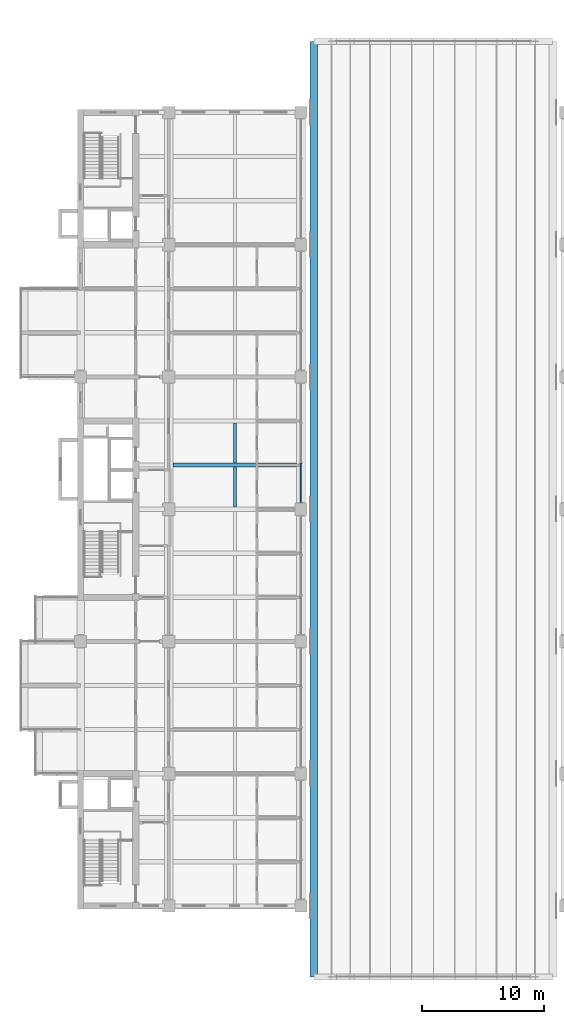
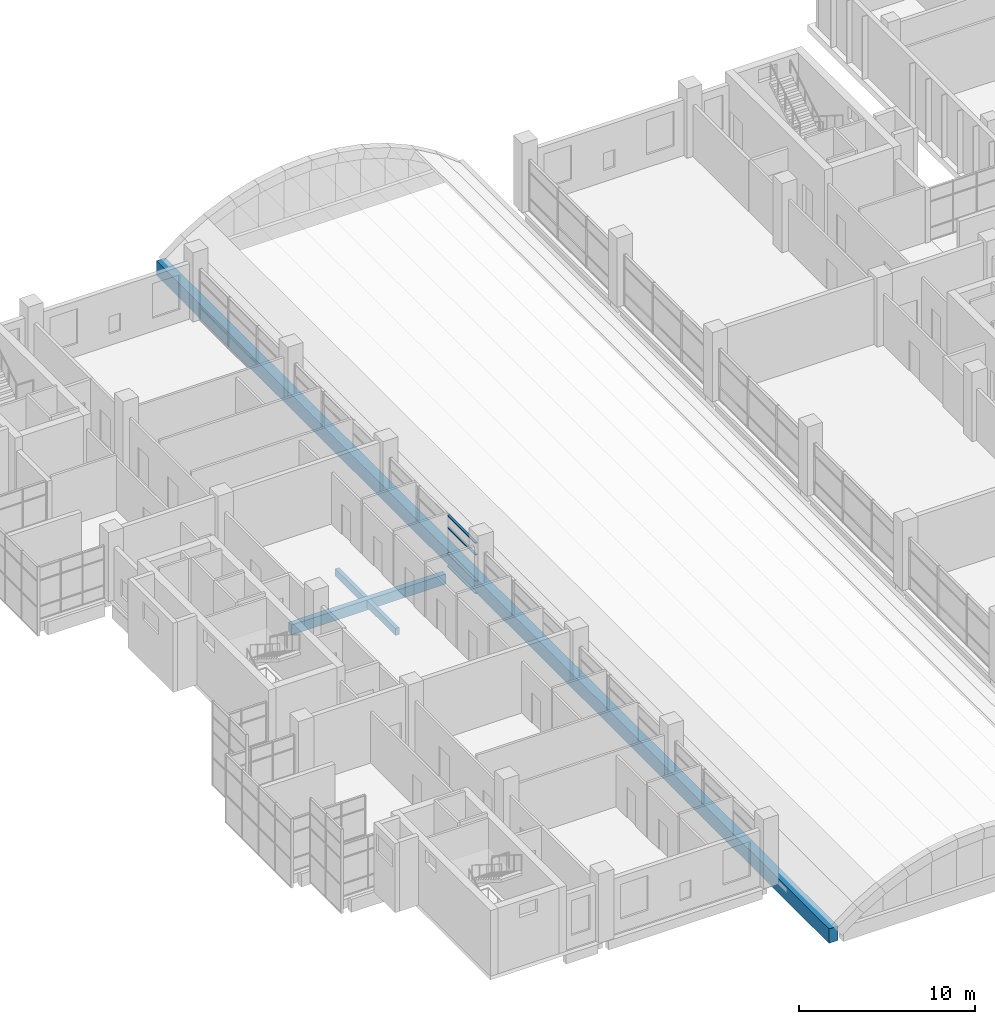
# One storey, part 9 of 45: 4 beams, 4 members, 1 element without a shape of its own.
"""IFC4 building model written with IfcOpenShell, lengths in metres."""

from ifc_helpers import new_model, si_unit, direction, frame, origin, origin_2d, place, context, subcontext, project, spatial, rectangle, extrude, material, layer, layer_set, material_profile, profile_set, type_object, element, aggregate, save


model = new_model("IFC4")

# Units and contexts
model_context = context("Model", 3, precision=1e-05, world=origin(), true_north=direction((0.0, 1.0)))
body_context = subcontext(model_context, "Body", "Model", "MODEL_VIEW")
ifc_project = project(units=[si_unit("LENGTHUNIT", "METRE"), si_unit("AREAUNIT", "SQUARE_METRE"), si_unit("VOLUMEUNIT", "CUBIC_METRE"), si_unit("PLANEANGLEUNIT", "RADIAN"), si_unit("MASSUNIT", "GRAM", prefix="KILO")], contexts=[model_context])

# Site, building, storey
site_placement = place(None, origin())
site = spatial("IfcSite", under=ifc_project, at=site_placement, CompositionType="ELEMENT")
building_placement = place(site_placement, origin())
building = spatial("IfcBuilding", under=site, at=building_placement, Name="Basin Gate Institute", CompositionType="ELEMENT")
storey_placement = place(building_placement, frame((0.0, 0.0, 22.199951171875)))
storey = spatial("IfcBuildingStorey", under=building, at=storey_placement, Name="L04", CompositionType="ELEMENT", Elevation=22.199951171875)

# Beams
ifc_material_1 = material(Name="Concrete 40 MPa", Category="concrete")
ifc_material_profile_1 = material_profile(ifc_material_1, rectangle(XDim=0.35009765625, YDim=0.699951171875, at=origin_2d()), Name="Beam B1 350 x 700")
ifc_profile_set_1 = profile_set([ifc_material_profile_1], Name="Concrete 40 MPa")
beam_type_1 = type_object("IfcBeamType", Name="Beam B1 R120", PredefinedType="BEAM", material=ifc_profile_set_1)
beam_1_placement = place(storey_placement, frame((68.75, 71.10009765625, -0.599853515625), z_axis=(1.0, 0.0, 0.0), x_axis=(0.0, 1.0, 0.0)))
element("IfcBeam", 1, at=beam_1_placement, inside=storey, type_object=beam_type_1, material=ifc_profile_set_1, Name="BEAM/L04/W/EW/11", PredefinedType="BEAM", context=body_context, shape_type="SweptSolid", body=[
    extrude(rectangle(XDim=0.35009765625, YDim=0.699951171875, at=origin_2d()), origin(), (0.0, 0.0, 1.0), 10.10009765625),
])
ifc_material_2 = material(Name="Concrete 40 MPa", Category="concrete")
ifc_material_profile_2 = material_profile(ifc_material_2, rectangle(XDim=0.25, YDim=0.5, at=origin_2d()), Name="Rib R1 250 x 500")
ifc_profile_set_2 = profile_set([ifc_material_profile_2], Name="Concrete 40 MPa")
beam_type_2 = type_object("IfcBeamType", Name="Rib R1 R120", PredefinedType="JOIST", material=ifc_profile_set_2)
for number, where, z_axis, x_axis, name in (
    (2, (73.800048828125, 67.675048828125, -0.5), (0.0, 1.0, 0.0), (-1.0, 0.0, 0.0), "BEAM/L04/W/RIB/10"),
    (3, (73.800048828125, 71.27490234375, -0.5), (0.0, 1.0, 0.0), (-1.0, 0.0, 0.0), "BEAM/L04/W/RIB/11"),
):
    element("IfcBeam", number, at=place(storey_placement, frame(where, z_axis=z_axis, x_axis=x_axis)), inside=storey, type_object=beam_type_2, material=ifc_profile_set_2, Name=name, PredefinedType="JOIST", context=body_context, shape_type="SweptSolid", body=[
        extrude(rectangle(XDim=0.25, YDim=0.5, at=origin_2d()), origin(), (0.0, 0.0, 1.0), 3.25),
    ])
ifc_material_3 = material(Name="Concrete 40 MPa", Category="concrete")
ifc_material_profile_3 = material_profile(ifc_material_3, rectangle(XDim=0.60009765625, YDim=1.0, at=origin_2d()), Name="Shell edge beam ES1 600 x 1000")
ifc_profile_set_3 = profile_set([ifc_material_profile_3], Name="Concrete 40 MPa")
beam_type_3 = type_object("IfcBeamType", Name="Shell edge beam ES1 R120", PredefinedType="BEAM", material=ifc_profile_set_3)
beam_2_placement = place(storey_placement, frame((80.25, 29.300048828125, -0.5), z_axis=(0.0, 1.0, 0.0), x_axis=(-1.0, 0.0, 0.0)))
element("IfcBeam", 4, at=beam_2_placement, inside=storey, type_object=beam_type_3, material=ifc_profile_set_3, Name="Atrium shell edge beam A", PredefinedType="BEAM", context=body_context, shape_type="SweptSolid", body=[
    extrude(rectangle(XDim=0.60009765625, YDim=1.0, at=origin_2d()), origin(), (0.0, 0.0, 1.0), 76.39990234375),
])

# Curtain wall, members
ifc_material_4 = material(Name="Aluminium-framed glazing", Category="aluminium")
ifc_layer = layer(ifc_material_4, 0.199951171875)
ifc_layer_set = layer_set([ifc_layer], Name="Atrium curtain wall CW2")
curtain_wall_type = type_object("IfcCurtainWallType", Name="Atrium curtain wall CW2", PredefinedType="NOTDEFINED", material=ifc_layer_set)
curtain_wall_placement = place(storey_placement, origin())
curtain_wall = element("IfcCurtainWall", 5, at=curtain_wall_placement, inside=storey, type_object=curtain_wall_type, material=ifc_layer_set, Name="Atrium curtain wall W wing atrium bay 4 L04", PredefinedType="NOTDEFINED")
ifc_material_5 = material(Name="Aluminium", Category="aluminium")
ifc_material_profile_4 = material_profile(ifc_material_5, rectangle(XDim=0.14990234375, YDim=0.06005859375, at=origin_2d()), Name="Transom TR2 150 x 60")
ifc_profile_set_4 = profile_set([ifc_material_profile_4], Name="Aluminium")
member_type = type_object("IfcMemberType", Name="Transom TR2", PredefinedType="USERDEFINED", material=ifc_profile_set_4)
member_1_placement = place(storey_placement, frame((79.199951171875, 68.06005859375, 0.030029296875), z_axis=(0.0, 1.0, 0.0), x_axis=(-1.0, 0.0, 0.0)))
member_1 = element("IfcMember", 6, at=member_1_placement, type_object=member_type, material=ifc_profile_set_4, Name="CW2 transom 1.1", ObjectType="TRANSOM", PredefinedType="USERDEFINED", context=body_context, shape_type="SweptSolid", body=[
    extrude(rectangle(XDim=0.14990234375, YDim=0.06005859375, at=origin_2d()), origin(), (0.0, 0.0, 1.0), 3.176513671875),
])
member_2_placement = place(storey_placement, frame((79.199951171875, 68.06005859375, 0.900146484375), z_axis=(0.0, 1.0, 0.0), x_axis=(-1.0, 0.0, 0.0)))
member_2 = element("IfcMember", 7, at=member_2_placement, type_object=member_type, material=ifc_profile_set_4, Name="CW2 transom 1.2", ObjectType="TRANSOM", PredefinedType="USERDEFINED", context=body_context, shape_type="SweptSolid", body=[
    extrude(rectangle(XDim=0.14990234375, YDim=0.06005859375, at=origin_2d()), origin(), (0.0, 0.0, 1.0), 3.176513671875),
])
member_3_placement = place(storey_placement, frame((79.199951171875, 68.06005859375, 2.699951171875), z_axis=(0.0, 1.0, 0.0), x_axis=(-1.0, 0.0, 0.0)))
member_3 = element("IfcMember", 8, at=member_3_placement, type_object=member_type, material=ifc_profile_set_4, Name="CW2 transom 1.3", ObjectType="TRANSOM", PredefinedType="USERDEFINED", context=body_context, shape_type="SweptSolid", body=[
    extrude(rectangle(XDim=0.14990234375, YDim=0.06005859375, at=origin_2d()), origin(), (0.0, 0.0, 1.0), 3.176513671875),
])
member_4_placement = place(storey_placement, frame((79.199951171875, 68.06005859375, 3.52001953125), z_axis=(0.0, 1.0, 0.0), x_axis=(-1.0, 0.0, 0.0)))
member_4 = element("IfcMember", 9, at=member_4_placement, type_object=member_type, material=ifc_profile_set_4, Name="CW2 transom 1.4", ObjectType="TRANSOM", PredefinedType="USERDEFINED", context=body_context, shape_type="SweptSolid", body=[
    extrude(rectangle(XDim=0.14990234375, YDim=0.06005859375, at=origin_2d()), origin(), (0.0, 0.0, 1.0), 3.176513671875),
])
aggregate(curtain_wall, [member_1, member_2, member_3, member_4])

save(model, "model.ifc")
